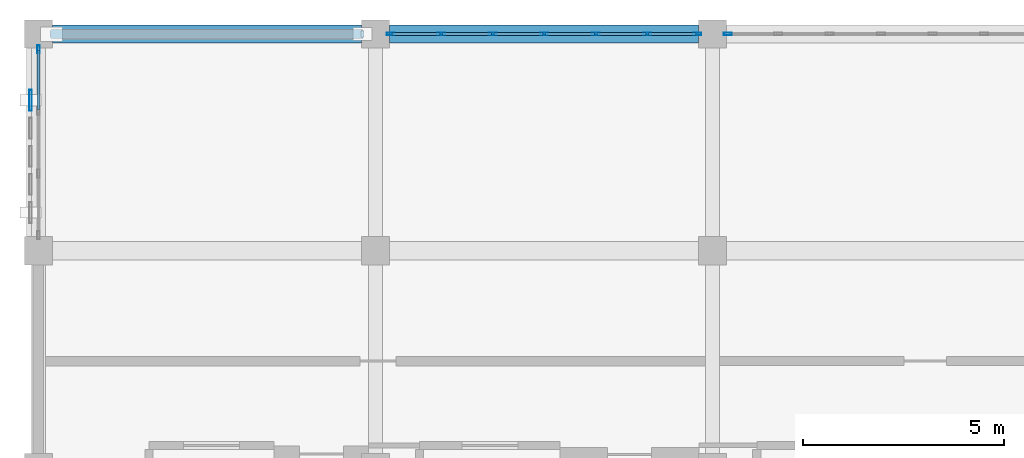
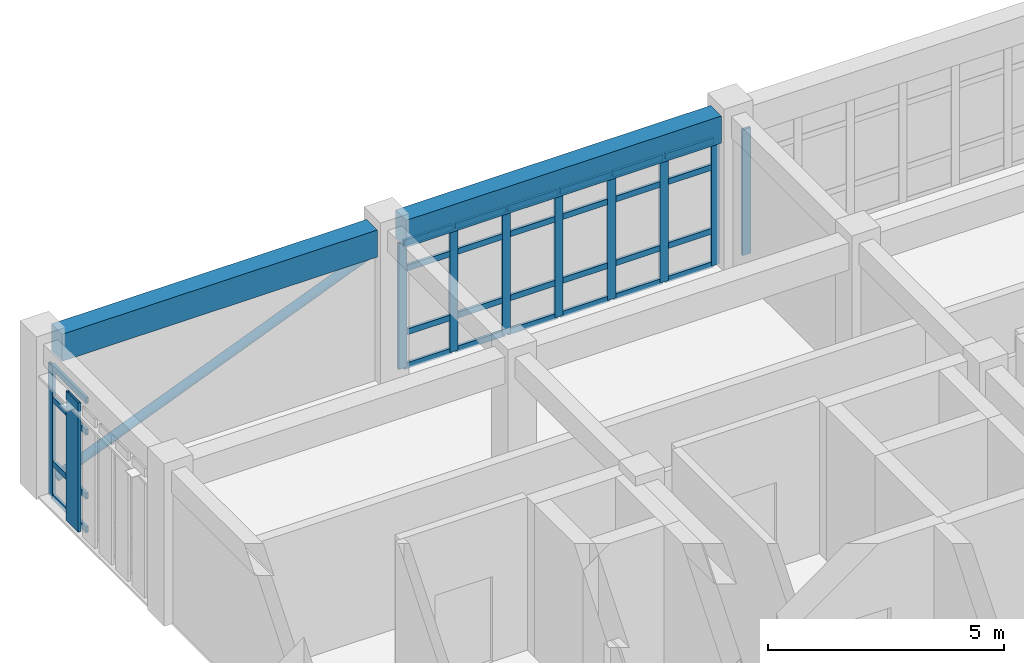
# One storey, part 13 of 22: 39 members, 2 beams, 3 elements without a shape of their own.
"""IFC4 building model written with IfcOpenShell, lengths in metres."""

from ifc_helpers import new_model, si_unit, direction, frame, origin, origin_2d, place, context, subcontext, project, spatial, rectangle, hollow_rectangle, hollow_circle, extrude, material, layer, layer_set, material_profile, profile_set, type_object, element, aggregate, save


model = new_model("IFC4")

# Units and contexts
model_context = context("Model", 3, precision=1e-05, world=origin(), true_north=direction((0.0, 1.0)))
body_context = subcontext(model_context, "Body", "Model", "MODEL_VIEW")
ifc_project = project(units=[si_unit("LENGTHUNIT", "METRE"), si_unit("AREAUNIT", "SQUARE_METRE"), si_unit("VOLUMEUNIT", "CUBIC_METRE"), si_unit("PLANEANGLEUNIT", "RADIAN"), si_unit("MASSUNIT", "GRAM", prefix="KILO")], contexts=[model_context])

# Site, building, storey
site_placement = place(None, origin())
site = spatial("IfcSite", under=ifc_project, at=site_placement, CompositionType="ELEMENT")
building_placement = place(site_placement, origin())
building = spatial("IfcBuilding", under=site, at=building_placement, Name="Krzemoval Escarpment Law Courts", CompositionType="ELEMENT")
storey_placement = place(building_placement, frame((0.0, 0.0, 29.39990234375)))
storey = spatial("IfcBuildingStorey", under=building, at=storey_placement, Name="L06", CompositionType="ELEMENT", Elevation=29.39990234375)

# Beams
ifc_material_1 = material(Name="Concrete C40/50", Category="concrete")
ifc_material_profile_1 = material_profile(ifc_material_1, rectangle(XDim=0.449951171875, YDim=0.699951171875, at=origin_2d()), Name="RCB 450x700")
ifc_profile_set_1 = profile_set([ifc_material_profile_1], Name="Concrete C40/50")
beam_type = type_object("IfcBeamType", Name="BM-RC-450x700", PredefinedType="BEAM", material=ifc_profile_set_1)
for number, where, z_axis, x_axis, name in (
    (1, (126.35009765625, 118.800048828125, 3.60009765625), (1.0, 0.0, 0.0), (0.0, 1.0, 0.0), "Beam FG-L06-2654"),
    (2, (134.75, 118.800048828125, 3.60009765625), (1.0, 0.0, 0.0), (0.0, 1.0, 0.0), "Beam FG-L06-2655"),
):
    element("IfcBeam", number, at=place(storey_placement, frame(where, z_axis=z_axis, x_axis=x_axis)), inside=storey, type_object=beam_type, Name=name, PredefinedType="BEAM", context=body_context, shape_type="SweptSolid", body=[
        extrude(rectangle(XDim=0.449951171875, YDim=0.699951171875, at=origin_2d()), origin(), (0.0, 0.0, 1.0), 7.699951171875),
    ])

# Curtain wall, member
ifc_material_2 = material(Name="Aluminium 6063-T6", Category="aluminium")
ifc_layer = layer(ifc_material_2, 0.219970703125)
ifc_layer_set = layer_set([ifc_layer], Name="Aluminium 6063-T6")
curtain_wall_type = type_object("IfcCurtainWallType", Name="CW-CHMB-4200", PredefinedType="USERDEFINED", material=ifc_layer_set)
curtain_wall_1_placement = place(storey_placement, origin())
curtain_wall_1 = element("IfcCurtainWall", 3, at=curtain_wall_1_placement, inside=storey, type_object=curtain_wall_type, Name="Unitised Curtain Wall FCW-L06-148", ObjectType="UNITISED_CURTAIN_WALL", PredefinedType="USERDEFINED")
ifc_material_3 = material(Name="Aluminium 6063-T6", Category="aluminium")
ifc_material_profile_2 = material_profile(ifc_material_3, hollow_rectangle(XDim=0.06494140625, YDim=0.199951171875, WallThickness=0.00439453125, at=origin_2d()), Name="ALU M65x200")
ifc_profile_set_2 = profile_set([ifc_material_profile_2], Name="Aluminium 6063-T6")
member_type_1 = type_object("IfcMemberType", Name="CWM-65x200", PredefinedType="MULLION", material=ifc_profile_set_2)
member_1_placement = place(storey_placement, frame((126.0, 118.41748046875, 0.0), z_axis=(0.0, 0.0, 1.0), x_axis=(-1.0, 0.0, 0.0)))
member_1 = element("IfcMember", 4, at=member_1_placement, type_object=member_type_1, Name="FCW-L06-148 mullion 4", PredefinedType="MULLION", context=body_context, shape_type="SweptSolid", body=[
    extrude(hollow_rectangle(XDim=0.06494140625, YDim=0.199951171875, WallThickness=0.00439453125, at=origin_2d()), origin(), (0.0, 0.0, 1.0), 3.400146484375),
])

# Curtain wall, members
curtain_wall_2_placement = place(storey_placement, origin())
curtain_wall_2 = element("IfcCurtainWall", 5, at=curtain_wall_2_placement, inside=storey, type_object=curtain_wall_type, Name="Unitised Curtain Wall FCW-L06-149", ObjectType="UNITISED_CURTAIN_WALL", PredefinedType="USERDEFINED")
member_2_placement = place(storey_placement, frame((134.782470703125, 118.800048828125, 0.0), z_axis=(0.0, 0.0, 1.0), x_axis=(0.0, 1.0, 0.0)))
member_2 = element("IfcMember", 6, at=member_2_placement, type_object=member_type_1, Name="FCW-L06-149 mullion 1", PredefinedType="MULLION", context=body_context, shape_type="SweptSolid", body=[
    extrude(hollow_rectangle(XDim=0.06494140625, YDim=0.199951171875, WallThickness=0.00439453125, at=origin_2d()), origin(), (0.0, 0.0, 1.0), 3.25),
])
member_3_placement = place(storey_placement, frame((136.033447265625, 118.800048828125, 0.0), z_axis=(0.0, 0.0, 1.0), x_axis=(0.0, 1.0, 0.0)))
member_3 = element("IfcMember", 7, at=member_3_placement, type_object=member_type_1, Name="FCW-L06-149 mullion 2", PredefinedType="MULLION", context=body_context, shape_type="SweptSolid", body=[
    extrude(hollow_rectangle(XDim=0.06494140625, YDim=0.199951171875, WallThickness=0.00439453125, at=origin_2d()), origin(), (0.0, 0.0, 1.0), 3.25),
])
member_4_placement = place(storey_placement, frame((137.316650390625, 118.800048828125, 0.0), z_axis=(0.0, 0.0, 1.0), x_axis=(0.0, 1.0, 0.0)))
member_4 = element("IfcMember", 8, at=member_4_placement, type_object=member_type_1, Name="FCW-L06-149 mullion 3", PredefinedType="MULLION", context=body_context, shape_type="SweptSolid", body=[
    extrude(hollow_rectangle(XDim=0.06494140625, YDim=0.199951171875, WallThickness=0.00439453125, at=origin_2d()), origin(), (0.0, 0.0, 1.0), 3.25),
])
member_5_placement = place(storey_placement, frame((138.60009765625, 118.800048828125, 0.0), z_axis=(0.0, 0.0, 1.0), x_axis=(0.0, 1.0, 0.0)))
member_5 = element("IfcMember", 9, at=member_5_placement, type_object=member_type_1, Name="FCW-L06-149 mullion 4", PredefinedType="MULLION", context=body_context, shape_type="SweptSolid", body=[
    extrude(hollow_rectangle(XDim=0.06494140625, YDim=0.199951171875, WallThickness=0.00439453125, at=origin_2d()), origin(), (0.0, 0.0, 1.0), 3.25),
])
member_6_placement = place(storey_placement, frame((139.88330078125, 118.800048828125, 0.0), z_axis=(0.0, 0.0, 1.0), x_axis=(0.0, 1.0, 0.0)))
member_6 = element("IfcMember", 10, at=member_6_placement, type_object=member_type_1, Name="FCW-L06-149 mullion 5", PredefinedType="MULLION", context=body_context, shape_type="SweptSolid", body=[
    extrude(hollow_rectangle(XDim=0.06494140625, YDim=0.199951171875, WallThickness=0.00439453125, at=origin_2d()), origin(), (0.0, 0.0, 1.0), 3.25),
])
member_7_placement = place(storey_placement, frame((141.166748046875, 118.800048828125, 0.0), z_axis=(0.0, 0.0, 1.0), x_axis=(0.0, 1.0, 0.0)))
member_7 = element("IfcMember", 11, at=member_7_placement, type_object=member_type_1, Name="FCW-L06-149 mullion 6", PredefinedType="MULLION", context=body_context, shape_type="SweptSolid", body=[
    extrude(hollow_rectangle(XDim=0.06494140625, YDim=0.199951171875, WallThickness=0.00439453125, at=origin_2d()), origin(), (0.0, 0.0, 1.0), 3.25),
])
member_8_placement = place(storey_placement, frame((142.41748046875, 118.800048828125, 0.0), z_axis=(0.0, 0.0, 1.0), x_axis=(0.0, 1.0, 0.0)))
member_8 = element("IfcMember", 12, at=member_8_placement, type_object=member_type_1, Name="FCW-L06-149 mullion 7", PredefinedType="MULLION", context=body_context, shape_type="SweptSolid", body=[
    extrude(hollow_rectangle(XDim=0.06494140625, YDim=0.199951171875, WallThickness=0.00439453125, at=origin_2d()), origin(), (0.0, 0.0, 1.0), 3.25),
])

# Curtain wall, member
curtain_wall_3_placement = place(storey_placement, origin())
curtain_wall_3 = element("IfcCurtainWall", 13, at=curtain_wall_3_placement, inside=storey, type_object=curtain_wall_type, Name="Unitised Curtain Wall FCW-L06-150", ObjectType="UNITISED_CURTAIN_WALL", PredefinedType="USERDEFINED")
member_9_placement = place(storey_placement, frame((143.1826171875, 118.800048828125, 0.0), z_axis=(0.0, 0.0, 1.0), x_axis=(0.0, 1.0, 0.0)))
member_9 = element("IfcMember", 14, at=member_9_placement, type_object=member_type_1, Name="FCW-L06-150 mullion 1", PredefinedType="MULLION", context=body_context, shape_type="SweptSolid", body=[
    extrude(hollow_rectangle(XDim=0.06494140625, YDim=0.199951171875, WallThickness=0.00439453125, at=origin_2d()), origin(), (0.0, 0.0, 1.0), 3.25),
])
aggregate(curtain_wall_3, [member_9])

# Member
ifc_material_4 = material(Name="Aluminium 6063-T6", Category="aluminium")
ifc_material_profile_3 = material_profile(ifc_material_4, hollow_rectangle(XDim=0.06494140625, YDim=0.14990234375, WallThickness=0.00439453125, at=origin_2d()), Name="ALU T65x150")
ifc_profile_set_3 = profile_set([ifc_material_profile_3], Name="Aluminium 6063-T6")
member_type_2 = type_object("IfcMemberType", Name="CWT-65x150", PredefinedType="USERDEFINED", material=ifc_profile_set_3)
member_10_placement = place(storey_placement, frame((126.0, 116.915771484375, 0.03271484375), z_axis=(0.0, 1.0, 0.0), x_axis=(-1.0, 0.0, 0.0)))
member_10 = element("IfcMember", 15, at=member_10_placement, type_object=member_type_2, Name="FCW-L06-148 transom 3.1", ObjectType="TRANSOM", PredefinedType="USERDEFINED", context=body_context, shape_type="SweptSolid", body=[
    extrude(hollow_rectangle(XDim=0.06494140625, YDim=0.14990234375, WallThickness=0.00439453125, at=origin_2d()), origin(), (0.0, 0.0, 1.0), 1.46923828125),
])

member_11_placement = place(storey_placement, frame((126.0, 116.915771484375, 0.900146484375), z_axis=(0.0, 1.0, 0.0), x_axis=(-1.0, 0.0, 0.0)))
member_11 = element("IfcMember", 16, at=member_11_placement, type_object=member_type_2, Name="FCW-L06-148 transom 3.2", ObjectType="TRANSOM", PredefinedType="USERDEFINED", context=body_context, shape_type="SweptSolid", body=[
    extrude(hollow_rectangle(XDim=0.06494140625, YDim=0.14990234375, WallThickness=0.00439453125, at=origin_2d()), origin(), (0.0, 0.0, 1.0), 1.46923828125),
])

member_12_placement = place(storey_placement, frame((126.0, 116.915771484375, 2.550048828125), z_axis=(0.0, 1.0, 0.0), x_axis=(-1.0, 0.0, 0.0)))
member_12 = element("IfcMember", 17, at=member_12_placement, type_object=member_type_2, Name="FCW-L06-148 transom 3.3", ObjectType="TRANSOM", PredefinedType="USERDEFINED", context=body_context, shape_type="SweptSolid", body=[
    extrude(hollow_rectangle(XDim=0.06494140625, YDim=0.14990234375, WallThickness=0.00439453125, at=origin_2d()), origin(), (0.0, 0.0, 1.0), 1.46923828125),
])

member_13_placement = place(storey_placement, frame((126.0, 116.915771484375, 3.36767578125), z_axis=(0.0, 1.0, 0.0), x_axis=(-1.0, 0.0, 0.0)))
member_13 = element("IfcMember", 18, at=member_13_placement, type_object=member_type_2, Name="FCW-L06-148 transom 3.4", ObjectType="TRANSOM", PredefinedType="USERDEFINED", context=body_context, shape_type="SweptSolid", body=[
    extrude(hollow_rectangle(XDim=0.06494140625, YDim=0.14990234375, WallThickness=0.00439453125, at=origin_2d()), origin(), (0.0, 0.0, 1.0), 1.46923828125),
])

aggregate(curtain_wall_1, [member_1, member_10, member_11, member_12, member_13])

member_14_placement = place(storey_placement, frame((134.81494140625, 118.800048828125, 0.03271484375), z_axis=(1.0, 0.0, 0.0), x_axis=(0.0, 1.0, 0.0)))
member_14 = element("IfcMember", 19, at=member_14_placement, type_object=member_type_2, Name="FCW-L06-149 transom 1.1", ObjectType="TRANSOM", PredefinedType="USERDEFINED", context=body_context, shape_type="SweptSolid", body=[
    extrude(hollow_rectangle(XDim=0.06494140625, YDim=0.14990234375, WallThickness=0.00439453125, at=origin_2d()), origin(), (0.0, 0.0, 1.0), 1.185791015625),
])

member_15_placement = place(storey_placement, frame((134.81494140625, 118.800048828125, 0.900146484375), z_axis=(1.0, 0.0, 0.0), x_axis=(0.0, 1.0, 0.0)))
member_15 = element("IfcMember", 20, at=member_15_placement, type_object=member_type_2, Name="FCW-L06-149 transom 1.2", ObjectType="TRANSOM", PredefinedType="USERDEFINED", context=body_context, shape_type="SweptSolid", body=[
    extrude(hollow_rectangle(XDim=0.06494140625, YDim=0.14990234375, WallThickness=0.00439453125, at=origin_2d()), origin(), (0.0, 0.0, 1.0), 1.185791015625),
])

member_16_placement = place(storey_placement, frame((134.81494140625, 118.800048828125, 2.550048828125), z_axis=(1.0, 0.0, 0.0), x_axis=(0.0, 1.0, 0.0)))
member_16 = element("IfcMember", 21, at=member_16_placement, type_object=member_type_2, Name="FCW-L06-149 transom 1.3", ObjectType="TRANSOM", PredefinedType="USERDEFINED", context=body_context, shape_type="SweptSolid", body=[
    extrude(hollow_rectangle(XDim=0.06494140625, YDim=0.14990234375, WallThickness=0.00439453125, at=origin_2d()), origin(), (0.0, 0.0, 1.0), 1.185791015625),
])

member_17_placement = place(storey_placement, frame((134.81494140625, 118.800048828125, 3.217529296875), z_axis=(1.0, 0.0, 0.0), x_axis=(0.0, 1.0, 0.0)))
member_17 = element("IfcMember", 22, at=member_17_placement, type_object=member_type_2, Name="FCW-L06-149 transom 1.4", ObjectType="TRANSOM", PredefinedType="USERDEFINED", context=body_context, shape_type="SweptSolid", body=[
    extrude(hollow_rectangle(XDim=0.06494140625, YDim=0.14990234375, WallThickness=0.00439453125, at=origin_2d()), origin(), (0.0, 0.0, 1.0), 1.185791015625),
])

member_18_placement = place(storey_placement, frame((136.06591796875, 118.800048828125, 0.03271484375), z_axis=(1.0, 0.0, 0.0), x_axis=(0.0, 1.0, 0.0)))
member_18 = element("IfcMember", 23, at=member_18_placement, type_object=member_type_2, Name="FCW-L06-149 transom 2.1", ObjectType="TRANSOM", PredefinedType="USERDEFINED", context=body_context, shape_type="SweptSolid", body=[
    extrude(hollow_rectangle(XDim=0.06494140625, YDim=0.14990234375, WallThickness=0.00439453125, at=origin_2d()), origin(), (0.0, 0.0, 1.0), 1.21826171875),
])

member_19_placement = place(storey_placement, frame((136.06591796875, 118.800048828125, 0.900146484375), z_axis=(1.0, 0.0, 0.0), x_axis=(0.0, 1.0, 0.0)))
member_19 = element("IfcMember", 24, at=member_19_placement, type_object=member_type_2, Name="FCW-L06-149 transom 2.2", ObjectType="TRANSOM", PredefinedType="USERDEFINED", context=body_context, shape_type="SweptSolid", body=[
    extrude(hollow_rectangle(XDim=0.06494140625, YDim=0.14990234375, WallThickness=0.00439453125, at=origin_2d()), origin(), (0.0, 0.0, 1.0), 1.21826171875),
])

member_20_placement = place(storey_placement, frame((136.06591796875, 118.800048828125, 2.550048828125), z_axis=(1.0, 0.0, 0.0), x_axis=(0.0, 1.0, 0.0)))
member_20 = element("IfcMember", 25, at=member_20_placement, type_object=member_type_2, Name="FCW-L06-149 transom 2.3", ObjectType="TRANSOM", PredefinedType="USERDEFINED", context=body_context, shape_type="SweptSolid", body=[
    extrude(hollow_rectangle(XDim=0.06494140625, YDim=0.14990234375, WallThickness=0.00439453125, at=origin_2d()), origin(), (0.0, 0.0, 1.0), 1.21826171875),
])

member_21_placement = place(storey_placement, frame((136.06591796875, 118.800048828125, 3.217529296875), z_axis=(1.0, 0.0, 0.0), x_axis=(0.0, 1.0, 0.0)))
member_21 = element("IfcMember", 26, at=member_21_placement, type_object=member_type_2, Name="FCW-L06-149 transom 2.4", ObjectType="TRANSOM", PredefinedType="USERDEFINED", context=body_context, shape_type="SweptSolid", body=[
    extrude(hollow_rectangle(XDim=0.06494140625, YDim=0.14990234375, WallThickness=0.00439453125, at=origin_2d()), origin(), (0.0, 0.0, 1.0), 1.21826171875),
])

member_22_placement = place(storey_placement, frame((137.34912109375, 118.800048828125, 0.03271484375), z_axis=(1.0, 0.0, 0.0), x_axis=(0.0, 1.0, 0.0)))
member_22 = element("IfcMember", 27, at=member_22_placement, type_object=member_type_2, Name="FCW-L06-149 transom 3.1", ObjectType="TRANSOM", PredefinedType="USERDEFINED", context=body_context, shape_type="SweptSolid", body=[
    extrude(hollow_rectangle(XDim=0.06494140625, YDim=0.14990234375, WallThickness=0.00439453125, at=origin_2d()), origin(), (0.0, 0.0, 1.0), 1.21826171875),
])

member_23_placement = place(storey_placement, frame((137.34912109375, 118.800048828125, 0.900146484375), z_axis=(1.0, 0.0, 0.0), x_axis=(0.0, 1.0, 0.0)))
member_23 = element("IfcMember", 28, at=member_23_placement, type_object=member_type_2, Name="FCW-L06-149 transom 3.2", ObjectType="TRANSOM", PredefinedType="USERDEFINED", context=body_context, shape_type="SweptSolid", body=[
    extrude(hollow_rectangle(XDim=0.06494140625, YDim=0.14990234375, WallThickness=0.00439453125, at=origin_2d()), origin(), (0.0, 0.0, 1.0), 1.21826171875),
])

member_24_placement = place(storey_placement, frame((137.34912109375, 118.800048828125, 2.550048828125), z_axis=(1.0, 0.0, 0.0), x_axis=(0.0, 1.0, 0.0)))
member_24 = element("IfcMember", 29, at=member_24_placement, type_object=member_type_2, Name="FCW-L06-149 transom 3.3", ObjectType="TRANSOM", PredefinedType="USERDEFINED", context=body_context, shape_type="SweptSolid", body=[
    extrude(hollow_rectangle(XDim=0.06494140625, YDim=0.14990234375, WallThickness=0.00439453125, at=origin_2d()), origin(), (0.0, 0.0, 1.0), 1.21826171875),
])

member_25_placement = place(storey_placement, frame((137.34912109375, 118.800048828125, 3.217529296875), z_axis=(1.0, 0.0, 0.0), x_axis=(0.0, 1.0, 0.0)))
member_25 = element("IfcMember", 30, at=member_25_placement, type_object=member_type_2, Name="FCW-L06-149 transom 3.4", ObjectType="TRANSOM", PredefinedType="USERDEFINED", context=body_context, shape_type="SweptSolid", body=[
    extrude(hollow_rectangle(XDim=0.06494140625, YDim=0.14990234375, WallThickness=0.00439453125, at=origin_2d()), origin(), (0.0, 0.0, 1.0), 1.21826171875),
])

member_26_placement = place(storey_placement, frame((138.632568359375, 118.800048828125, 0.03271484375), z_axis=(1.0, 0.0, 0.0), x_axis=(0.0, 1.0, 0.0)))
member_26 = element("IfcMember", 31, at=member_26_placement, type_object=member_type_2, Name="FCW-L06-149 transom 4.1", ObjectType="TRANSOM", PredefinedType="USERDEFINED", context=body_context, shape_type="SweptSolid", body=[
    extrude(hollow_rectangle(XDim=0.06494140625, YDim=0.14990234375, WallThickness=0.00439453125, at=origin_2d()), origin(), (0.0, 0.0, 1.0), 1.21826171875),
])

member_27_placement = place(storey_placement, frame((138.632568359375, 118.800048828125, 0.900146484375), z_axis=(1.0, 0.0, 0.0), x_axis=(0.0, 1.0, 0.0)))
member_27 = element("IfcMember", 32, at=member_27_placement, type_object=member_type_2, Name="FCW-L06-149 transom 4.2", ObjectType="TRANSOM", PredefinedType="USERDEFINED", context=body_context, shape_type="SweptSolid", body=[
    extrude(hollow_rectangle(XDim=0.06494140625, YDim=0.14990234375, WallThickness=0.00439453125, at=origin_2d()), origin(), (0.0, 0.0, 1.0), 1.21826171875),
])

member_28_placement = place(storey_placement, frame((138.632568359375, 118.800048828125, 2.550048828125), z_axis=(1.0, 0.0, 0.0), x_axis=(0.0, 1.0, 0.0)))
member_28 = element("IfcMember", 33, at=member_28_placement, type_object=member_type_2, Name="FCW-L06-149 transom 4.3", ObjectType="TRANSOM", PredefinedType="USERDEFINED", context=body_context, shape_type="SweptSolid", body=[
    extrude(hollow_rectangle(XDim=0.06494140625, YDim=0.14990234375, WallThickness=0.00439453125, at=origin_2d()), origin(), (0.0, 0.0, 1.0), 1.21826171875),
])

member_29_placement = place(storey_placement, frame((138.632568359375, 118.800048828125, 3.217529296875), z_axis=(1.0, 0.0, 0.0), x_axis=(0.0, 1.0, 0.0)))
member_29 = element("IfcMember", 34, at=member_29_placement, type_object=member_type_2, Name="FCW-L06-149 transom 4.4", ObjectType="TRANSOM", PredefinedType="USERDEFINED", context=body_context, shape_type="SweptSolid", body=[
    extrude(hollow_rectangle(XDim=0.06494140625, YDim=0.14990234375, WallThickness=0.00439453125, at=origin_2d()), origin(), (0.0, 0.0, 1.0), 1.21826171875),
])

member_30_placement = place(storey_placement, frame((139.915771484375, 118.800048828125, 0.03271484375), z_axis=(1.0, 0.0, 0.0), x_axis=(0.0, 1.0, 0.0)))
member_30 = element("IfcMember", 35, at=member_30_placement, type_object=member_type_2, Name="FCW-L06-149 transom 5.1", ObjectType="TRANSOM", PredefinedType="USERDEFINED", context=body_context, shape_type="SweptSolid", body=[
    extrude(hollow_rectangle(XDim=0.06494140625, YDim=0.14990234375, WallThickness=0.00439453125, at=origin_2d()), origin(), (0.0, 0.0, 1.0), 1.218505859375),
])

member_31_placement = place(storey_placement, frame((139.915771484375, 118.800048828125, 0.900146484375), z_axis=(1.0, 0.0, 0.0), x_axis=(0.0, 1.0, 0.0)))
member_31 = element("IfcMember", 36, at=member_31_placement, type_object=member_type_2, Name="FCW-L06-149 transom 5.2", ObjectType="TRANSOM", PredefinedType="USERDEFINED", context=body_context, shape_type="SweptSolid", body=[
    extrude(hollow_rectangle(XDim=0.06494140625, YDim=0.14990234375, WallThickness=0.00439453125, at=origin_2d()), origin(), (0.0, 0.0, 1.0), 1.218505859375),
])

member_32_placement = place(storey_placement, frame((139.915771484375, 118.800048828125, 2.550048828125), z_axis=(1.0, 0.0, 0.0), x_axis=(0.0, 1.0, 0.0)))
member_32 = element("IfcMember", 37, at=member_32_placement, type_object=member_type_2, Name="FCW-L06-149 transom 5.3", ObjectType="TRANSOM", PredefinedType="USERDEFINED", context=body_context, shape_type="SweptSolid", body=[
    extrude(hollow_rectangle(XDim=0.06494140625, YDim=0.14990234375, WallThickness=0.00439453125, at=origin_2d()), origin(), (0.0, 0.0, 1.0), 1.218505859375),
])

member_33_placement = place(storey_placement, frame((139.915771484375, 118.800048828125, 3.217529296875), z_axis=(1.0, 0.0, 0.0), x_axis=(0.0, 1.0, 0.0)))
member_33 = element("IfcMember", 38, at=member_33_placement, type_object=member_type_2, Name="FCW-L06-149 transom 5.4", ObjectType="TRANSOM", PredefinedType="USERDEFINED", context=body_context, shape_type="SweptSolid", body=[
    extrude(hollow_rectangle(XDim=0.06494140625, YDim=0.14990234375, WallThickness=0.00439453125, at=origin_2d()), origin(), (0.0, 0.0, 1.0), 1.218505859375),
])

member_34_placement = place(storey_placement, frame((141.19921875, 118.800048828125, 0.03271484375), z_axis=(1.0, 0.0, 0.0), x_axis=(0.0, 1.0, 0.0)))
member_34 = element("IfcMember", 39, at=member_34_placement, type_object=member_type_2, Name="FCW-L06-149 transom 6.1", ObjectType="TRANSOM", PredefinedType="USERDEFINED", context=body_context, shape_type="SweptSolid", body=[
    extrude(hollow_rectangle(XDim=0.06494140625, YDim=0.14990234375, WallThickness=0.00439453125, at=origin_2d()), origin(), (0.0, 0.0, 1.0), 1.185791015625),
])

member_35_placement = place(storey_placement, frame((141.19921875, 118.800048828125, 0.900146484375), z_axis=(1.0, 0.0, 0.0), x_axis=(0.0, 1.0, 0.0)))
member_35 = element("IfcMember", 40, at=member_35_placement, type_object=member_type_2, Name="FCW-L06-149 transom 6.2", ObjectType="TRANSOM", PredefinedType="USERDEFINED", context=body_context, shape_type="SweptSolid", body=[
    extrude(hollow_rectangle(XDim=0.06494140625, YDim=0.14990234375, WallThickness=0.00439453125, at=origin_2d()), origin(), (0.0, 0.0, 1.0), 1.185791015625),
])

member_36_placement = place(storey_placement, frame((141.19921875, 118.800048828125, 2.550048828125), z_axis=(1.0, 0.0, 0.0), x_axis=(0.0, 1.0, 0.0)))
member_36 = element("IfcMember", 41, at=member_36_placement, type_object=member_type_2, Name="FCW-L06-149 transom 6.3", ObjectType="TRANSOM", PredefinedType="USERDEFINED", context=body_context, shape_type="SweptSolid", body=[
    extrude(hollow_rectangle(XDim=0.06494140625, YDim=0.14990234375, WallThickness=0.00439453125, at=origin_2d()), origin(), (0.0, 0.0, 1.0), 1.185791015625),
])

member_37_placement = place(storey_placement, frame((141.19921875, 118.800048828125, 3.217529296875), z_axis=(1.0, 0.0, 0.0), x_axis=(0.0, 1.0, 0.0)))
member_37 = element("IfcMember", 42, at=member_37_placement, type_object=member_type_2, Name="FCW-L06-149 transom 6.4", ObjectType="TRANSOM", PredefinedType="USERDEFINED", context=body_context, shape_type="SweptSolid", body=[
    extrude(hollow_rectangle(XDim=0.06494140625, YDim=0.14990234375, WallThickness=0.00439453125, at=origin_2d()), origin(), (0.0, 0.0, 1.0), 1.185791015625),
])

aggregate(curtain_wall_2, [member_2, member_3, member_4, member_5, member_6, member_7, member_8, member_14, member_15, member_16, member_17, member_18, member_19, member_20, member_21, member_22, member_23, member_24, member_25, member_26, member_27, member_28, member_29, member_30, member_31, member_32, member_33, member_34, member_35, member_36, member_37])

# Members
ifc_material_5 = material(Name="Anodised Aluminium Alloy 6063-T6", Category="aluminium")
ifc_material_profile_4 = material_profile(ifc_material_5, hollow_rectangle(XDim=0.06494140625, YDim=0.52001953125, WallThickness=0.00439453125, at=origin_2d()), Name="ALU LVR 65x520")
ifc_profile_set_4 = profile_set([ifc_material_profile_4], Name="Anodised Aluminium Alloy 6063-T6")
member_type_3 = type_object("IfcMemberType", Name="LVR-ALU-520", PredefinedType="USERDEFINED", material=ifc_profile_set_4)
member_38_placement = place(storey_placement, frame((125.800048828125, 117.14990234375, 0.06005859375), z_axis=(0.0, 0.0, 1.0), x_axis=(1.0, 0.0, 0.0)))
element("IfcMember", 43, at=member_38_placement, inside=storey, type_object=member_type_3, Name="Sunshade Louvre Fin FLV-L06-1000", ObjectType="SUNSHADE_LOUVRE", PredefinedType="USERDEFINED", context=body_context, shape_type="SweptSolid", body=[
    extrude(hollow_rectangle(XDim=0.06494140625, YDim=0.52001953125, WallThickness=0.00439453125, at=origin_2d()), origin(), (0.0, 0.0, 1.0), 3.340087890625),
])
ifc_material_6 = material(Name="Steel S355", Category="steel")
ifc_material_profile_5 = material_profile(ifc_material_6, hollow_circle(Radius=0.109619140625, WallThickness=0.010009765625, at=origin_2d()), Name="CHS 219.1x10")
ifc_profile_set_5 = profile_set([ifc_material_profile_5], Name="Steel S355")
member_type_4 = type_object("IfcMemberType", Name="MBR-BRC-CHS219", PredefinedType="BRACE", material=ifc_profile_set_5)
member_39_placement = place(storey_placement, frame((126.324951171875, 118.800048828125, 0.14013671875), z_axis=(0.927238716401, 0.0, 0.374470776974), x_axis=(0.0, 1.0, 0.0)))
element("IfcMember", 44, at=member_39_placement, inside=storey, type_object=member_type_4, Name="Lateral Diagonal Brace BR-0256", PredefinedType="BRACE", context=body_context, shape_type="SweptSolid", body=[
    extrude(hollow_circle(Radius=0.109619140625, WallThickness=0.010009765625, at=origin_2d()), origin(), (0.0, 0.0, 1.0), 8.358154296875),
])

save(model, "model.ifc")
